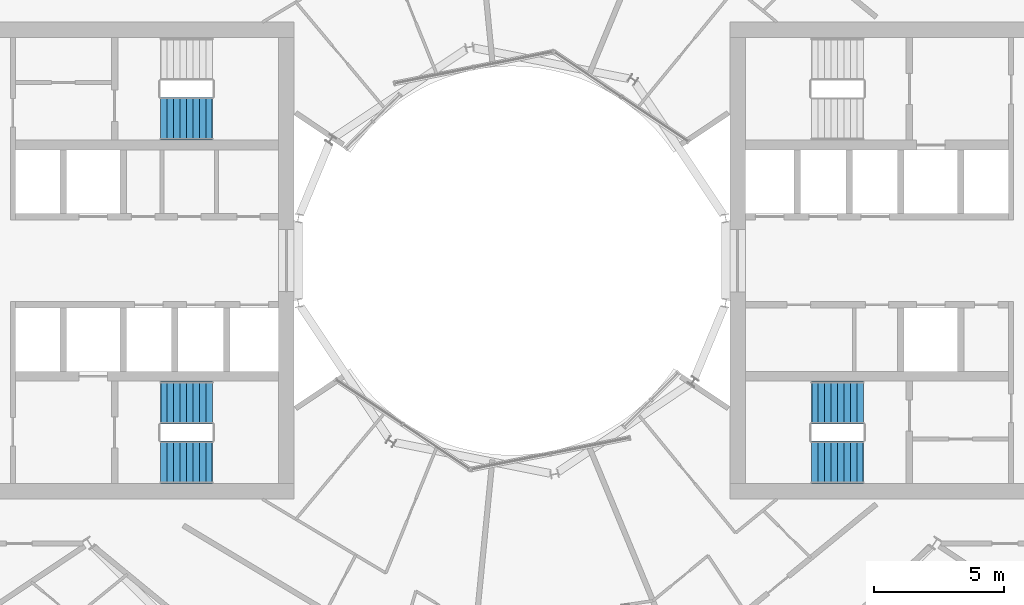
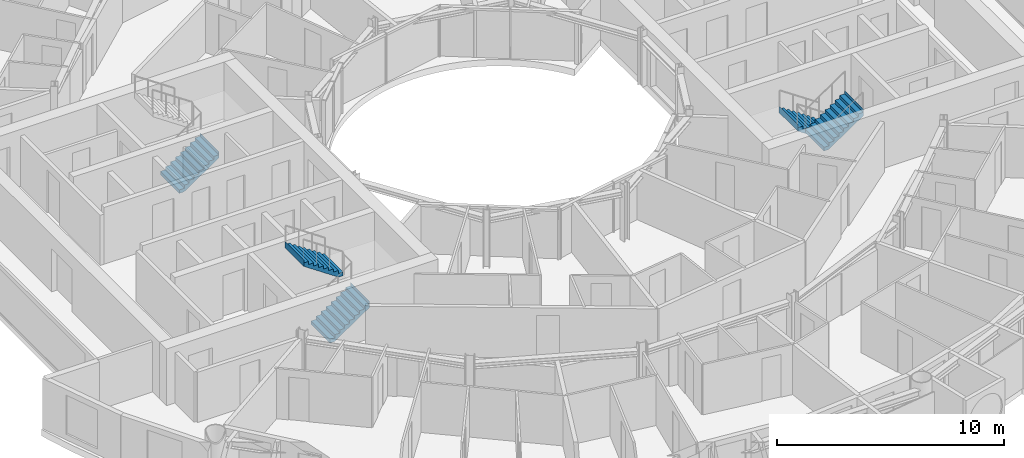
# One storey, part 25 of 28: 5 stair flights, 3 elements without a shape of their own.
"""IFC4 building model written with IfcOpenShell, lengths in metres."""

from ifc_helpers import new_model, si_unit, direction, frame, origin, place, context, subcontext, project, spatial, triangles, material, type_object, element, aggregate, save


model = new_model("IFC4")

# Units and contexts
model_context = context("Model", 3, precision=1e-05, world=origin(), true_north=direction((0.0, 1.0)))
body_context = subcontext(model_context, "Body", "Model", "MODEL_VIEW")
ifc_project = project(units=[si_unit("LENGTHUNIT", "METRE"), si_unit("AREAUNIT", "SQUARE_METRE"), si_unit("VOLUMEUNIT", "CUBIC_METRE"), si_unit("PLANEANGLEUNIT", "RADIAN"), si_unit("MASSUNIT", "GRAM", prefix="KILO")], contexts=[model_context])

# Site, building, storey
site_placement = place(None, origin())
site = spatial("IfcSite", under=ifc_project, at=site_placement, CompositionType="ELEMENT")
building_placement = place(site_placement, origin())
building = spatial("IfcBuilding", under=site, at=building_placement, Name="Maasbend Ring Residences", CompositionType="ELEMENT")
storey_placement = place(building_placement, frame((0.0, 0.0, 129.949951171875)))
storey = spatial("IfcBuildingStorey", under=building, at=storey_placement, Name="L37", CompositionType="ELEMENT", Elevation=129.949951171875)

# Stair, stair flights
ifc_material_1 = material(Name="Concrete C40/50", Category="concrete")
stair_type = type_object("IfcStairType", Name="CORE STAIR 18 RISERS", PredefinedType="HALF_TURN_STAIR", material=ifc_material_1)
stair_1_placement = place(storey_placement, origin())
stair_1 = element("IfcStair", 1, at=stair_1_placement, inside=storey, type_object=stair_type, Name="L37 Exit stair ST-E2", PredefinedType="HALF_TURN_STAIR")
ifc_material_2 = material(Name="Concrete C40/50", Category="concrete")
stair_flight_type = type_object("IfcStairFlightType", Name="CORE STAIR FLIGHT 1650", PredefinedType="STRAIGHT", material=ifc_material_2)
stair_flight_1_placement = place(storey_placement, frame((13.550048828125, -5.47509765625, 0.0), z_axis=(0.0, 0.0, 1.0), x_axis=(-1.0, 0.0, 0.0)))
stair_flight_1 = element("IfcStairFlight", 2, at=stair_flight_1_placement, type_object=stair_flight_type, Name="ST-E2 flight 1", NumberOfRisers=9, NumberOfTreads=8, PredefinedType="STRAIGHT", RiserHeight=0.169444444, TreadLength=0.25, context=body_context, shape_type="Tessellation", body=[
    triangles([(0.24072265625, 0.824951171875, -0.02001953125), (2.0029296875, 0.824951171875, 1.174560546875), (2.0029296875, 0.824951171875, 1.52490234375), (1.989990234375, 0.824951171875, 1.35546875), (1.75, 0.824951171875, 1.35546875), (1.75, 0.824951171875, 1.18603515625), (1.5, 0.824951171875, 1.18603515625), (1.5, 0.824951171875, 1.0166015625), (1.25, 0.824951171875, 1.0166015625), (1.25, 0.824951171875, 0.84716796875), (1.0, 0.824951171875, 0.84716796875), (1.0, 0.824951171875, 0.677734375), (0.75, 0.824951171875, 0.677734375), (0.75, 0.824951171875, 0.50830078125), (0.5, 0.824951171875, 0.50830078125), (0.5, 0.824951171875, 0.3388671875), (0.25, 0.824951171875, 0.3388671875), (0.25, 0.824951171875, 0.16943359375), (0.0, 0.824951171875, 0.16943359375), (0.0, 0.824951171875, 0.0), (-0.0029296875, 0.824951171875, 0.0), (-0.0029296875, 0.824951171875, -0.02001953125), (0.24072265625, 0.27490234375, -0.02001953125), (2.0029296875, 0.27490234375, 1.174560546875), (2.0029296875, 0.27490234375, 1.52490234375), (1.989990234375, 0.27490234375, 1.35546875), (1.75, 0.27490234375, 1.35546875), (1.75, 0.27490234375, 1.18603515625), (1.5, 0.27490234375, 1.18603515625), (1.5, 0.27490234375, 1.0166015625), (1.25, 0.27490234375, 1.0166015625), (1.25, 0.27490234375, 0.84716796875), (1.0, 0.27490234375, 0.84716796875), (1.0, 0.27490234375, 0.677734375), (0.75, 0.27490234375, 0.677734375), (0.75, 0.27490234375, 0.50830078125), (0.5, 0.27490234375, 0.50830078125), (0.5, 0.27490234375, 0.3388671875), (0.25, 0.27490234375, 0.3388671875), (0.25, 0.27490234375, 0.16943359375), (0.0, 0.27490234375, 0.16943359375), (0.0, 0.27490234375, 0.0), (-0.0029296875, 0.27490234375, 0.0), (-0.0029296875, 0.27490234375, -0.02001953125), (0.24072265625, -0.27490234375, -0.02001953125), (2.0029296875, -0.27490234375, 1.174560546875), (2.0029296875, -0.27490234375, 1.52490234375), (1.989990234375, -0.27490234375, 1.35546875), (1.75, -0.27490234375, 1.35546875), (1.75, -0.27490234375, 1.18603515625), (1.5, -0.27490234375, 1.18603515625), (1.5, -0.27490234375, 1.0166015625), (1.25, -0.27490234375, 1.0166015625), (1.25, -0.27490234375, 0.84716796875), (1.0, -0.27490234375, 0.84716796875), (1.0, -0.27490234375, 0.677734375), (0.75, -0.27490234375, 0.677734375), (0.75, -0.27490234375, 0.50830078125), (0.5, -0.27490234375, 0.50830078125), (0.5, -0.27490234375, 0.3388671875), (0.25, -0.27490234375, 0.3388671875), (0.25, -0.27490234375, 0.16943359375), (0.0, -0.27490234375, 0.16943359375), (0.0, -0.27490234375, 0.0), (-0.0029296875, -0.27490234375, 0.0), (-0.0029296875, -0.27490234375, -0.02001953125), (0.24072265625, -0.824951171875, -0.02001953125), (2.0029296875, -0.824951171875, 1.174560546875), (2.0029296875, -0.824951171875, 1.52490234375), (1.989990234375, -0.824951171875, 1.35546875), (1.75, -0.824951171875, 1.35546875), (1.75, -0.824951171875, 1.18603515625), (1.5, -0.824951171875, 1.18603515625), (1.5, -0.824951171875, 1.0166015625), (1.25, -0.824951171875, 1.0166015625), (1.25, -0.824951171875, 0.84716796875), (1.0, -0.824951171875, 0.84716796875), (1.0, -0.824951171875, 0.677734375), (0.75, -0.824951171875, 0.677734375), (0.75, -0.824951171875, 0.50830078125), (0.5, -0.824951171875, 0.50830078125), (0.5, -0.824951171875, 0.3388671875), (0.25, -0.824951171875, 0.3388671875), (0.25, -0.824951171875, 0.16943359375), (0.0, -0.824951171875, 0.16943359375), (0.0, -0.824951171875, 0.0), (-0.0029296875, -0.824951171875, 0.0), (-0.0029296875, -0.824951171875, -0.02001953125)], [[1, 2, 24], [1, 24, 23], [23, 24, 46], [23, 46, 45], [45, 46, 68], [45, 68, 67], [2, 3, 25], [2, 25, 24], [24, 25, 47], [24, 47, 46], [46, 47, 69], [46, 69, 68], [3, 4, 26], [3, 26, 25], [25, 26, 48], [25, 48, 47], [47, 48, 70], [47, 70, 69], [4, 5, 27], [4, 27, 26], [26, 27, 49], [26, 49, 48], [48, 49, 71], [48, 71, 70], [5, 6, 28], [5, 28, 27], [27, 28, 50], [27, 50, 49], [49, 50, 72], [49, 72, 71], [6, 7, 29], [6, 29, 28], [28, 29, 51], [28, 51, 50], [50, 51, 73], [50, 73, 72], [7, 8, 30], [7, 30, 29], [29, 30, 52], [29, 52, 51], [51, 52, 74], [51, 74, 73], [8, 9, 31], [8, 31, 30], [30, 31, 53], [30, 53, 52], [52, 53, 75], [52, 75, 74], [9, 10, 32], [9, 32, 31], [31, 32, 54], [31, 54, 53], [53, 54, 76], [53, 76, 75], [10, 11, 33], [10, 33, 32], [32, 33, 55], [32, 55, 54], [54, 55, 77], [54, 77, 76], [11, 12, 34], [11, 34, 33], [33, 34, 56], [33, 56, 55], [55, 56, 78], [55, 78, 77], [12, 13, 35], [12, 35, 34], [34, 35, 57], [34, 57, 56], [56, 57, 79], [56, 79, 78], [13, 14, 36], [13, 36, 35], [35, 36, 58], [35, 58, 57], [57, 58, 80], [57, 80, 79], [14, 15, 37], [14, 37, 36], [36, 37, 59], [36, 59, 58], [58, 59, 81], [58, 81, 80], [15, 16, 38], [15, 38, 37], [37, 38, 60], [37, 60, 59], [59, 60, 82], [59, 82, 81], [16, 17, 39], [16, 39, 38], [38, 39, 61], [38, 61, 60], [60, 61, 83], [60, 83, 82], [17, 18, 40], [17, 40, 39], [39, 40, 62], [39, 62, 61], [61, 62, 84], [61, 84, 83], [18, 19, 41], [18, 41, 40], [40, 41, 63], [40, 63, 62], [62, 63, 85], [62, 85, 84], [19, 20, 42], [19, 42, 41], [41, 42, 64], [41, 64, 63], [63, 64, 86], [63, 86, 85], [20, 21, 43], [20, 43, 42], [42, 43, 65], [42, 65, 64], [64, 65, 87], [64, 87, 86], [21, 22, 44], [21, 44, 43], [43, 44, 66], [43, 66, 65], [65, 66, 88], [65, 88, 87], [22, 1, 23], [22, 23, 44], [44, 23, 45], [44, 45, 66], [66, 45, 67], [66, 67, 88], [22, 2, 1], [2, 4, 3], [2, 5, 4], [2, 6, 5], [22, 6, 2], [6, 8, 7], [22, 8, 6], [8, 10, 9], [22, 10, 8], [10, 12, 11], [22, 12, 10], [12, 14, 13], [22, 14, 12], [14, 16, 15], [22, 16, 14], [16, 18, 17], [22, 18, 16], [18, 20, 19], [22, 20, 18], [20, 22, 21], [88, 67, 68], [68, 69, 70], [68, 70, 71], [68, 71, 72], [88, 68, 72], [72, 73, 74], [88, 72, 74], [74, 75, 76], [88, 74, 76], [76, 77, 78], [88, 76, 78], [78, 79, 80], [88, 78, 80], [80, 81, 82], [88, 80, 82], [82, 83, 84], [88, 82, 84], [84, 85, 86], [88, 84, 86], [86, 87, 88]], closed=True),
])
stair_flight_2_placement = place(storey_placement, frame((11.550048828125, -7.77490234375, 1.525146484375), z_axis=(0.0, 0.0, 1.0), x_axis=(1.0, 0.0, 0.0)))
stair_flight_2 = element("IfcStairFlight", 3, at=stair_flight_2_placement, type_object=stair_flight_type, Name="ST-E2 flight 2", NumberOfRisers=9, NumberOfTreads=8, PredefinedType="STRAIGHT", RiserHeight=0.169444444, TreadLength=0.25, context=body_context, shape_type="Tessellation", body=[
    triangles([(0.24072265625, 0.824951171875, -0.02001953125), (2.0029296875, 0.824951171875, 1.174560546875), (2.0029296875, 0.824951171875, 1.52490234375), (1.989990234375, 0.824951171875, 1.35546875), (1.75, 0.824951171875, 1.35546875), (1.75, 0.824951171875, 1.18603515625), (1.5, 0.824951171875, 1.18603515625), (1.5, 0.824951171875, 1.0166015625), (1.25, 0.824951171875, 1.0166015625), (1.25, 0.824951171875, 0.84716796875), (1.0, 0.824951171875, 0.84716796875), (1.0, 0.824951171875, 0.677734375), (0.75, 0.824951171875, 0.677734375), (0.75, 0.824951171875, 0.50830078125), (0.5, 0.824951171875, 0.50830078125), (0.5, 0.824951171875, 0.3388671875), (0.25, 0.824951171875, 0.3388671875), (0.25, 0.824951171875, 0.16943359375), (0.0, 0.824951171875, 0.16943359375), (0.0, 0.824951171875, 0.0), (-0.0029296875, 0.824951171875, 0.0), (-0.0029296875, 0.824951171875, -0.02001953125), (0.24072265625, 0.27490234375, -0.02001953125), (2.0029296875, 0.27490234375, 1.174560546875), (2.0029296875, 0.27490234375, 1.52490234375), (1.989990234375, 0.27490234375, 1.35546875), (1.75, 0.27490234375, 1.35546875), (1.75, 0.27490234375, 1.18603515625), (1.5, 0.27490234375, 1.18603515625), (1.5, 0.27490234375, 1.0166015625), (1.25, 0.27490234375, 1.0166015625), (1.25, 0.27490234375, 0.84716796875), (1.0, 0.27490234375, 0.84716796875), (1.0, 0.27490234375, 0.677734375), (0.75, 0.27490234375, 0.677734375), (0.75, 0.27490234375, 0.50830078125), (0.5, 0.27490234375, 0.50830078125), (0.5, 0.27490234375, 0.3388671875), (0.25, 0.27490234375, 0.3388671875), (0.25, 0.27490234375, 0.16943359375), (0.0, 0.27490234375, 0.16943359375), (0.0, 0.27490234375, 0.0), (-0.0029296875, 0.27490234375, 0.0), (-0.0029296875, 0.27490234375, -0.02001953125), (0.24072265625, -0.27490234375, -0.02001953125), (2.0029296875, -0.27490234375, 1.174560546875), (2.0029296875, -0.27490234375, 1.52490234375), (1.989990234375, -0.27490234375, 1.35546875), (1.75, -0.27490234375, 1.35546875), (1.75, -0.27490234375, 1.18603515625), (1.5, -0.27490234375, 1.18603515625), (1.5, -0.27490234375, 1.0166015625), (1.25, -0.27490234375, 1.0166015625), (1.25, -0.27490234375, 0.84716796875), (1.0, -0.27490234375, 0.84716796875), (1.0, -0.27490234375, 0.677734375), (0.75, -0.27490234375, 0.677734375), (0.75, -0.27490234375, 0.50830078125), (0.5, -0.27490234375, 0.50830078125), (0.5, -0.27490234375, 0.3388671875), (0.25, -0.27490234375, 0.3388671875), (0.25, -0.27490234375, 0.16943359375), (0.0, -0.27490234375, 0.16943359375), (0.0, -0.27490234375, 0.0), (-0.0029296875, -0.27490234375, 0.0), (-0.0029296875, -0.27490234375, -0.02001953125), (0.24072265625, -0.824951171875, -0.02001953125), (2.0029296875, -0.824951171875, 1.174560546875), (2.0029296875, -0.824951171875, 1.52490234375), (1.989990234375, -0.824951171875, 1.35546875), (1.75, -0.824951171875, 1.35546875), (1.75, -0.824951171875, 1.18603515625), (1.5, -0.824951171875, 1.18603515625), (1.5, -0.824951171875, 1.0166015625), (1.25, -0.824951171875, 1.0166015625), (1.25, -0.824951171875, 0.84716796875), (1.0, -0.824951171875, 0.84716796875), (1.0, -0.824951171875, 0.677734375), (0.75, -0.824951171875, 0.677734375), (0.75, -0.824951171875, 0.50830078125), (0.5, -0.824951171875, 0.50830078125), (0.5, -0.824951171875, 0.3388671875), (0.25, -0.824951171875, 0.3388671875), (0.25, -0.824951171875, 0.16943359375), (0.0, -0.824951171875, 0.16943359375), (0.0, -0.824951171875, 0.0), (-0.0029296875, -0.824951171875, 0.0), (-0.0029296875, -0.824951171875, -0.02001953125)], [[1, 2, 24], [1, 24, 23], [23, 24, 46], [23, 46, 45], [45, 46, 68], [45, 68, 67], [2, 3, 25], [2, 25, 24], [24, 25, 47], [24, 47, 46], [46, 47, 69], [46, 69, 68], [3, 4, 26], [3, 26, 25], [25, 26, 48], [25, 48, 47], [47, 48, 70], [47, 70, 69], [4, 5, 27], [4, 27, 26], [26, 27, 49], [26, 49, 48], [48, 49, 71], [48, 71, 70], [5, 6, 28], [5, 28, 27], [27, 28, 50], [27, 50, 49], [49, 50, 72], [49, 72, 71], [6, 7, 29], [6, 29, 28], [28, 29, 51], [28, 51, 50], [50, 51, 73], [50, 73, 72], [7, 8, 30], [7, 30, 29], [29, 30, 52], [29, 52, 51], [51, 52, 74], [51, 74, 73], [8, 9, 31], [8, 31, 30], [30, 31, 53], [30, 53, 52], [52, 53, 75], [52, 75, 74], [9, 10, 32], [9, 32, 31], [31, 32, 54], [31, 54, 53], [53, 54, 76], [53, 76, 75], [10, 11, 33], [10, 33, 32], [32, 33, 55], [32, 55, 54], [54, 55, 77], [54, 77, 76], [11, 12, 34], [11, 34, 33], [33, 34, 56], [33, 56, 55], [55, 56, 78], [55, 78, 77], [12, 13, 35], [12, 35, 34], [34, 35, 57], [34, 57, 56], [56, 57, 79], [56, 79, 78], [13, 14, 36], [13, 36, 35], [35, 36, 58], [35, 58, 57], [57, 58, 80], [57, 80, 79], [14, 15, 37], [14, 37, 36], [36, 37, 59], [36, 59, 58], [58, 59, 81], [58, 81, 80], [15, 16, 38], [15, 38, 37], [37, 38, 60], [37, 60, 59], [59, 60, 82], [59, 82, 81], [16, 17, 39], [16, 39, 38], [38, 39, 61], [38, 61, 60], [60, 61, 83], [60, 83, 82], [17, 18, 40], [17, 40, 39], [39, 40, 62], [39, 62, 61], [61, 62, 84], [61, 84, 83], [18, 19, 41], [18, 41, 40], [40, 41, 63], [40, 63, 62], [62, 63, 85], [62, 85, 84], [19, 20, 42], [19, 42, 41], [41, 42, 64], [41, 64, 63], [63, 64, 86], [63, 86, 85], [20, 21, 43], [20, 43, 42], [42, 43, 65], [42, 65, 64], [64, 65, 87], [64, 87, 86], [21, 22, 44], [21, 44, 43], [43, 44, 66], [43, 66, 65], [65, 66, 88], [65, 88, 87], [22, 1, 23], [22, 23, 44], [44, 23, 45], [44, 45, 66], [66, 45, 67], [66, 67, 88], [22, 2, 1], [2, 4, 3], [2, 5, 4], [2, 6, 5], [22, 6, 2], [6, 8, 7], [22, 8, 6], [8, 10, 9], [22, 10, 8], [10, 12, 11], [22, 12, 10], [12, 14, 13], [22, 14, 12], [14, 16, 15], [22, 16, 14], [16, 18, 17], [22, 18, 16], [18, 20, 19], [22, 20, 18], [20, 22, 21], [88, 67, 68], [68, 69, 70], [68, 70, 71], [68, 71, 72], [88, 68, 72], [72, 73, 74], [88, 72, 74], [74, 75, 76], [88, 74, 76], [76, 77, 78], [88, 76, 78], [78, 79, 80], [88, 78, 80], [80, 81, 82], [88, 80, 82], [82, 83, 84], [88, 82, 84], [84, 85, 86], [88, 84, 86], [86, 87, 88]], closed=True),
])
aggregate(stair_1, [stair_flight_1, stair_flight_2])

stair_2_placement = place(storey_placement, origin())
stair_2 = element("IfcStair", 4, at=stair_2_placement, inside=storey, type_object=stair_type, Name="L37 Exit stair ST-W1", PredefinedType="HALF_TURN_STAIR")
stair_flight_3_placement = place(storey_placement, frame((-13.550048828125, -7.77490234375, 0.0), z_axis=(0.0, 0.0, 1.0), x_axis=(1.0, 0.0, 0.0)))
stair_flight_3 = element("IfcStairFlight", 5, at=stair_flight_3_placement, type_object=stair_flight_type, Name="ST-W1 flight 1", NumberOfRisers=9, NumberOfTreads=8, PredefinedType="STRAIGHT", RiserHeight=0.169444444, TreadLength=0.25, context=body_context, shape_type="Tessellation", body=[
    triangles([(0.24072265625, 0.824951171875, -0.02001953125), (2.0029296875, 0.824951171875, 1.174560546875), (2.0029296875, 0.824951171875, 1.52490234375), (1.989990234375, 0.824951171875, 1.35546875), (1.75, 0.824951171875, 1.35546875), (1.75, 0.824951171875, 1.18603515625), (1.5, 0.824951171875, 1.18603515625), (1.5, 0.824951171875, 1.0166015625), (1.25, 0.824951171875, 1.0166015625), (1.25, 0.824951171875, 0.84716796875), (1.0, 0.824951171875, 0.84716796875), (1.0, 0.824951171875, 0.677734375), (0.75, 0.824951171875, 0.677734375), (0.75, 0.824951171875, 0.50830078125), (0.5, 0.824951171875, 0.50830078125), (0.5, 0.824951171875, 0.3388671875), (0.25, 0.824951171875, 0.3388671875), (0.25, 0.824951171875, 0.16943359375), (0.0, 0.824951171875, 0.16943359375), (0.0, 0.824951171875, 0.0), (-0.0029296875, 0.824951171875, 0.0), (-0.0029296875, 0.824951171875, -0.02001953125), (0.24072265625, 0.27490234375, -0.02001953125), (2.0029296875, 0.27490234375, 1.174560546875), (2.0029296875, 0.27490234375, 1.52490234375), (1.989990234375, 0.27490234375, 1.35546875), (1.75, 0.27490234375, 1.35546875), (1.75, 0.27490234375, 1.18603515625), (1.5, 0.27490234375, 1.18603515625), (1.5, 0.27490234375, 1.0166015625), (1.25, 0.27490234375, 1.0166015625), (1.25, 0.27490234375, 0.84716796875), (1.0, 0.27490234375, 0.84716796875), (1.0, 0.27490234375, 0.677734375), (0.75, 0.27490234375, 0.677734375), (0.75, 0.27490234375, 0.50830078125), (0.5, 0.27490234375, 0.50830078125), (0.5, 0.27490234375, 0.3388671875), (0.25, 0.27490234375, 0.3388671875), (0.25, 0.27490234375, 0.16943359375), (0.0, 0.27490234375, 0.16943359375), (0.0, 0.27490234375, 0.0), (-0.0029296875, 0.27490234375, 0.0), (-0.0029296875, 0.27490234375, -0.02001953125), (0.24072265625, -0.27490234375, -0.02001953125), (2.0029296875, -0.27490234375, 1.174560546875), (2.0029296875, -0.27490234375, 1.52490234375), (1.989990234375, -0.27490234375, 1.35546875), (1.75, -0.27490234375, 1.35546875), (1.75, -0.27490234375, 1.18603515625), (1.5, -0.27490234375, 1.18603515625), (1.5, -0.27490234375, 1.0166015625), (1.25, -0.27490234375, 1.0166015625), (1.25, -0.27490234375, 0.84716796875), (1.0, -0.27490234375, 0.84716796875), (1.0, -0.27490234375, 0.677734375), (0.75, -0.27490234375, 0.677734375), (0.75, -0.27490234375, 0.50830078125), (0.5, -0.27490234375, 0.50830078125), (0.5, -0.27490234375, 0.3388671875), (0.25, -0.27490234375, 0.3388671875), (0.25, -0.27490234375, 0.16943359375), (0.0, -0.27490234375, 0.16943359375), (0.0, -0.27490234375, 0.0), (-0.0029296875, -0.27490234375, 0.0), (-0.0029296875, -0.27490234375, -0.02001953125), (0.24072265625, -0.824951171875, -0.02001953125), (2.0029296875, -0.824951171875, 1.174560546875), (2.0029296875, -0.824951171875, 1.52490234375), (1.989990234375, -0.824951171875, 1.35546875), (1.75, -0.824951171875, 1.35546875), (1.75, -0.824951171875, 1.18603515625), (1.5, -0.824951171875, 1.18603515625), (1.5, -0.824951171875, 1.0166015625), (1.25, -0.824951171875, 1.0166015625), (1.25, -0.824951171875, 0.84716796875), (1.0, -0.824951171875, 0.84716796875), (1.0, -0.824951171875, 0.677734375), (0.75, -0.824951171875, 0.677734375), (0.75, -0.824951171875, 0.50830078125), (0.5, -0.824951171875, 0.50830078125), (0.5, -0.824951171875, 0.3388671875), (0.25, -0.824951171875, 0.3388671875), (0.25, -0.824951171875, 0.16943359375), (0.0, -0.824951171875, 0.16943359375), (0.0, -0.824951171875, 0.0), (-0.0029296875, -0.824951171875, 0.0), (-0.0029296875, -0.824951171875, -0.02001953125)], [[1, 2, 24], [1, 24, 23], [23, 24, 46], [23, 46, 45], [45, 46, 68], [45, 68, 67], [2, 3, 25], [2, 25, 24], [24, 25, 47], [24, 47, 46], [46, 47, 69], [46, 69, 68], [3, 4, 26], [3, 26, 25], [25, 26, 48], [25, 48, 47], [47, 48, 70], [47, 70, 69], [4, 5, 27], [4, 27, 26], [26, 27, 49], [26, 49, 48], [48, 49, 71], [48, 71, 70], [5, 6, 28], [5, 28, 27], [27, 28, 50], [27, 50, 49], [49, 50, 72], [49, 72, 71], [6, 7, 29], [6, 29, 28], [28, 29, 51], [28, 51, 50], [50, 51, 73], [50, 73, 72], [7, 8, 30], [7, 30, 29], [29, 30, 52], [29, 52, 51], [51, 52, 74], [51, 74, 73], [8, 9, 31], [8, 31, 30], [30, 31, 53], [30, 53, 52], [52, 53, 75], [52, 75, 74], [9, 10, 32], [9, 32, 31], [31, 32, 54], [31, 54, 53], [53, 54, 76], [53, 76, 75], [10, 11, 33], [10, 33, 32], [32, 33, 55], [32, 55, 54], [54, 55, 77], [54, 77, 76], [11, 12, 34], [11, 34, 33], [33, 34, 56], [33, 56, 55], [55, 56, 78], [55, 78, 77], [12, 13, 35], [12, 35, 34], [34, 35, 57], [34, 57, 56], [56, 57, 79], [56, 79, 78], [13, 14, 36], [13, 36, 35], [35, 36, 58], [35, 58, 57], [57, 58, 80], [57, 80, 79], [14, 15, 37], [14, 37, 36], [36, 37, 59], [36, 59, 58], [58, 59, 81], [58, 81, 80], [15, 16, 38], [15, 38, 37], [37, 38, 60], [37, 60, 59], [59, 60, 82], [59, 82, 81], [16, 17, 39], [16, 39, 38], [38, 39, 61], [38, 61, 60], [60, 61, 83], [60, 83, 82], [17, 18, 40], [17, 40, 39], [39, 40, 62], [39, 62, 61], [61, 62, 84], [61, 84, 83], [18, 19, 41], [18, 41, 40], [40, 41, 63], [40, 63, 62], [62, 63, 85], [62, 85, 84], [19, 20, 42], [19, 42, 41], [41, 42, 64], [41, 64, 63], [63, 64, 86], [63, 86, 85], [20, 21, 43], [20, 43, 42], [42, 43, 65], [42, 65, 64], [64, 65, 87], [64, 87, 86], [21, 22, 44], [21, 44, 43], [43, 44, 66], [43, 66, 65], [65, 66, 88], [65, 88, 87], [22, 1, 23], [22, 23, 44], [44, 23, 45], [44, 45, 66], [66, 45, 67], [66, 67, 88], [22, 2, 1], [2, 4, 3], [2, 5, 4], [2, 6, 5], [22, 6, 2], [6, 8, 7], [22, 8, 6], [8, 10, 9], [22, 10, 8], [10, 12, 11], [22, 12, 10], [12, 14, 13], [22, 14, 12], [14, 16, 15], [22, 16, 14], [16, 18, 17], [22, 18, 16], [18, 20, 19], [22, 20, 18], [20, 22, 21], [88, 67, 68], [68, 69, 70], [68, 70, 71], [68, 71, 72], [88, 68, 72], [72, 73, 74], [88, 72, 74], [74, 75, 76], [88, 74, 76], [76, 77, 78], [88, 76, 78], [78, 79, 80], [88, 78, 80], [80, 81, 82], [88, 80, 82], [82, 83, 84], [88, 82, 84], [84, 85, 86], [88, 84, 86], [86, 87, 88]], closed=True),
])
stair_flight_4_placement = place(storey_placement, frame((-11.550048828125, -5.47509765625, 1.525146484375), z_axis=(0.0, 0.0, 1.0), x_axis=(-1.0, 0.0, 0.0)))
stair_flight_4 = element("IfcStairFlight", 6, at=stair_flight_4_placement, type_object=stair_flight_type, Name="ST-W1 flight 2", NumberOfRisers=9, NumberOfTreads=8, PredefinedType="STRAIGHT", RiserHeight=0.169444444, TreadLength=0.25, context=body_context, shape_type="Tessellation", body=[
    triangles([(0.24072265625, 0.824951171875, -0.02001953125), (2.0029296875, 0.824951171875, 1.174560546875), (2.0029296875, 0.824951171875, 1.52490234375), (1.989990234375, 0.824951171875, 1.35546875), (1.75, 0.824951171875, 1.35546875), (1.75, 0.824951171875, 1.18603515625), (1.5, 0.824951171875, 1.18603515625), (1.5, 0.824951171875, 1.0166015625), (1.25, 0.824951171875, 1.0166015625), (1.25, 0.824951171875, 0.84716796875), (1.0, 0.824951171875, 0.84716796875), (1.0, 0.824951171875, 0.677734375), (0.75, 0.824951171875, 0.677734375), (0.75, 0.824951171875, 0.50830078125), (0.5, 0.824951171875, 0.50830078125), (0.5, 0.824951171875, 0.3388671875), (0.25, 0.824951171875, 0.3388671875), (0.25, 0.824951171875, 0.16943359375), (0.0, 0.824951171875, 0.16943359375), (0.0, 0.824951171875, 0.0), (-0.0029296875, 0.824951171875, 0.0), (-0.0029296875, 0.824951171875, -0.02001953125), (0.24072265625, 0.27490234375, -0.02001953125), (2.0029296875, 0.27490234375, 1.174560546875), (2.0029296875, 0.27490234375, 1.52490234375), (1.989990234375, 0.27490234375, 1.35546875), (1.75, 0.27490234375, 1.35546875), (1.75, 0.27490234375, 1.18603515625), (1.5, 0.27490234375, 1.18603515625), (1.5, 0.27490234375, 1.0166015625), (1.25, 0.27490234375, 1.0166015625), (1.25, 0.27490234375, 0.84716796875), (1.0, 0.27490234375, 0.84716796875), (1.0, 0.27490234375, 0.677734375), (0.75, 0.27490234375, 0.677734375), (0.75, 0.27490234375, 0.50830078125), (0.5, 0.27490234375, 0.50830078125), (0.5, 0.27490234375, 0.3388671875), (0.25, 0.27490234375, 0.3388671875), (0.25, 0.27490234375, 0.16943359375), (0.0, 0.27490234375, 0.16943359375), (0.0, 0.27490234375, 0.0), (-0.0029296875, 0.27490234375, 0.0), (-0.0029296875, 0.27490234375, -0.02001953125), (0.24072265625, -0.27490234375, -0.02001953125), (2.0029296875, -0.27490234375, 1.174560546875), (2.0029296875, -0.27490234375, 1.52490234375), (1.989990234375, -0.27490234375, 1.35546875), (1.75, -0.27490234375, 1.35546875), (1.75, -0.27490234375, 1.18603515625), (1.5, -0.27490234375, 1.18603515625), (1.5, -0.27490234375, 1.0166015625), (1.25, -0.27490234375, 1.0166015625), (1.25, -0.27490234375, 0.84716796875), (1.0, -0.27490234375, 0.84716796875), (1.0, -0.27490234375, 0.677734375), (0.75, -0.27490234375, 0.677734375), (0.75, -0.27490234375, 0.50830078125), (0.5, -0.27490234375, 0.50830078125), (0.5, -0.27490234375, 0.3388671875), (0.25, -0.27490234375, 0.3388671875), (0.25, -0.27490234375, 0.16943359375), (0.0, -0.27490234375, 0.16943359375), (0.0, -0.27490234375, 0.0), (-0.0029296875, -0.27490234375, 0.0), (-0.0029296875, -0.27490234375, -0.02001953125), (0.24072265625, -0.824951171875, -0.02001953125), (2.0029296875, -0.824951171875, 1.174560546875), (2.0029296875, -0.824951171875, 1.52490234375), (1.989990234375, -0.824951171875, 1.35546875), (1.75, -0.824951171875, 1.35546875), (1.75, -0.824951171875, 1.18603515625), (1.5, -0.824951171875, 1.18603515625), (1.5, -0.824951171875, 1.0166015625), (1.25, -0.824951171875, 1.0166015625), (1.25, -0.824951171875, 0.84716796875), (1.0, -0.824951171875, 0.84716796875), (1.0, -0.824951171875, 0.677734375), (0.75, -0.824951171875, 0.677734375), (0.75, -0.824951171875, 0.50830078125), (0.5, -0.824951171875, 0.50830078125), (0.5, -0.824951171875, 0.3388671875), (0.25, -0.824951171875, 0.3388671875), (0.25, -0.824951171875, 0.16943359375), (0.0, -0.824951171875, 0.16943359375), (0.0, -0.824951171875, 0.0), (-0.0029296875, -0.824951171875, 0.0), (-0.0029296875, -0.824951171875, -0.02001953125)], [[1, 2, 24], [1, 24, 23], [23, 24, 46], [23, 46, 45], [45, 46, 68], [45, 68, 67], [2, 3, 25], [2, 25, 24], [24, 25, 47], [24, 47, 46], [46, 47, 69], [46, 69, 68], [3, 4, 26], [3, 26, 25], [25, 26, 48], [25, 48, 47], [47, 48, 70], [47, 70, 69], [4, 5, 27], [4, 27, 26], [26, 27, 49], [26, 49, 48], [48, 49, 71], [48, 71, 70], [5, 6, 28], [5, 28, 27], [27, 28, 50], [27, 50, 49], [49, 50, 72], [49, 72, 71], [6, 7, 29], [6, 29, 28], [28, 29, 51], [28, 51, 50], [50, 51, 73], [50, 73, 72], [7, 8, 30], [7, 30, 29], [29, 30, 52], [29, 52, 51], [51, 52, 74], [51, 74, 73], [8, 9, 31], [8, 31, 30], [30, 31, 53], [30, 53, 52], [52, 53, 75], [52, 75, 74], [9, 10, 32], [9, 32, 31], [31, 32, 54], [31, 54, 53], [53, 54, 76], [53, 76, 75], [10, 11, 33], [10, 33, 32], [32, 33, 55], [32, 55, 54], [54, 55, 77], [54, 77, 76], [11, 12, 34], [11, 34, 33], [33, 34, 56], [33, 56, 55], [55, 56, 78], [55, 78, 77], [12, 13, 35], [12, 35, 34], [34, 35, 57], [34, 57, 56], [56, 57, 79], [56, 79, 78], [13, 14, 36], [13, 36, 35], [35, 36, 58], [35, 58, 57], [57, 58, 80], [57, 80, 79], [14, 15, 37], [14, 37, 36], [36, 37, 59], [36, 59, 58], [58, 59, 81], [58, 81, 80], [15, 16, 38], [15, 38, 37], [37, 38, 60], [37, 60, 59], [59, 60, 82], [59, 82, 81], [16, 17, 39], [16, 39, 38], [38, 39, 61], [38, 61, 60], [60, 61, 83], [60, 83, 82], [17, 18, 40], [17, 40, 39], [39, 40, 62], [39, 62, 61], [61, 62, 84], [61, 84, 83], [18, 19, 41], [18, 41, 40], [40, 41, 63], [40, 63, 62], [62, 63, 85], [62, 85, 84], [19, 20, 42], [19, 42, 41], [41, 42, 64], [41, 64, 63], [63, 64, 86], [63, 86, 85], [20, 21, 43], [20, 43, 42], [42, 43, 65], [42, 65, 64], [64, 65, 87], [64, 87, 86], [21, 22, 44], [21, 44, 43], [43, 44, 66], [43, 66, 65], [65, 66, 88], [65, 88, 87], [22, 1, 23], [22, 23, 44], [44, 23, 45], [44, 45, 66], [66, 45, 67], [66, 67, 88], [22, 2, 1], [2, 4, 3], [2, 5, 4], [2, 6, 5], [22, 6, 2], [6, 8, 7], [22, 8, 6], [8, 10, 9], [22, 10, 8], [10, 12, 11], [22, 12, 10], [12, 14, 13], [22, 14, 12], [14, 16, 15], [22, 16, 14], [16, 18, 17], [22, 18, 16], [18, 20, 19], [22, 20, 18], [20, 22, 21], [88, 67, 68], [68, 69, 70], [68, 70, 71], [68, 71, 72], [88, 68, 72], [72, 73, 74], [88, 72, 74], [74, 75, 76], [88, 74, 76], [76, 77, 78], [88, 76, 78], [78, 79, 80], [88, 78, 80], [80, 81, 82], [88, 80, 82], [82, 83, 84], [88, 82, 84], [84, 85, 86], [88, 84, 86], [86, 87, 88]], closed=True),
])
aggregate(stair_2, [stair_flight_3, stair_flight_4])

# Stair, stair flight
stair_3_placement = place(storey_placement, origin())
stair_3 = element("IfcStair", 7, at=stair_3_placement, inside=storey, type_object=stair_type, Name="L37 Exit stair ST-W2", PredefinedType="HALF_TURN_STAIR")
stair_flight_5_placement = place(storey_placement, frame((-13.550048828125, 5.47509765625, 0.0), z_axis=(0.0, 0.0, 1.0), x_axis=(1.0, 0.0, 0.0)))
stair_flight_5 = element("IfcStairFlight", 8, at=stair_flight_5_placement, type_object=stair_flight_type, Name="ST-W2 flight 1", NumberOfRisers=9, NumberOfTreads=8, PredefinedType="STRAIGHT", RiserHeight=0.169444444, TreadLength=0.25, context=body_context, shape_type="Tessellation", body=[
    triangles([(0.24072265625, 0.824951171875, -0.02001953125), (2.0029296875, 0.824951171875, 1.174560546875), (2.0029296875, 0.824951171875, 1.52490234375), (1.989990234375, 0.824951171875, 1.35546875), (1.75, 0.824951171875, 1.35546875), (1.75, 0.824951171875, 1.18603515625), (1.5, 0.824951171875, 1.18603515625), (1.5, 0.824951171875, 1.0166015625), (1.25, 0.824951171875, 1.0166015625), (1.25, 0.824951171875, 0.84716796875), (1.0, 0.824951171875, 0.84716796875), (1.0, 0.824951171875, 0.677734375), (0.75, 0.824951171875, 0.677734375), (0.75, 0.824951171875, 0.50830078125), (0.5, 0.824951171875, 0.50830078125), (0.5, 0.824951171875, 0.3388671875), (0.25, 0.824951171875, 0.3388671875), (0.25, 0.824951171875, 0.16943359375), (0.0, 0.824951171875, 0.16943359375), (0.0, 0.824951171875, 0.0), (-0.0029296875, 0.824951171875, 0.0), (-0.0029296875, 0.824951171875, -0.02001953125), (0.24072265625, 0.27490234375, -0.02001953125), (2.0029296875, 0.27490234375, 1.174560546875), (2.0029296875, 0.27490234375, 1.52490234375), (1.989990234375, 0.27490234375, 1.35546875), (1.75, 0.27490234375, 1.35546875), (1.75, 0.27490234375, 1.18603515625), (1.5, 0.27490234375, 1.18603515625), (1.5, 0.27490234375, 1.0166015625), (1.25, 0.27490234375, 1.0166015625), (1.25, 0.27490234375, 0.84716796875), (1.0, 0.27490234375, 0.84716796875), (1.0, 0.27490234375, 0.677734375), (0.75, 0.27490234375, 0.677734375), (0.75, 0.27490234375, 0.50830078125), (0.5, 0.27490234375, 0.50830078125), (0.5, 0.27490234375, 0.3388671875), (0.25, 0.27490234375, 0.3388671875), (0.25, 0.27490234375, 0.16943359375), (0.0, 0.27490234375, 0.16943359375), (0.0, 0.27490234375, 0.0), (-0.0029296875, 0.27490234375, 0.0), (-0.0029296875, 0.27490234375, -0.02001953125), (0.24072265625, -0.27490234375, -0.02001953125), (2.0029296875, -0.27490234375, 1.174560546875), (2.0029296875, -0.27490234375, 1.52490234375), (1.989990234375, -0.27490234375, 1.35546875), (1.75, -0.27490234375, 1.35546875), (1.75, -0.27490234375, 1.18603515625), (1.5, -0.27490234375, 1.18603515625), (1.5, -0.27490234375, 1.0166015625), (1.25, -0.27490234375, 1.0166015625), (1.25, -0.27490234375, 0.84716796875), (1.0, -0.27490234375, 0.84716796875), (1.0, -0.27490234375, 0.677734375), (0.75, -0.27490234375, 0.677734375), (0.75, -0.27490234375, 0.50830078125), (0.5, -0.27490234375, 0.50830078125), (0.5, -0.27490234375, 0.3388671875), (0.25, -0.27490234375, 0.3388671875), (0.25, -0.27490234375, 0.16943359375), (0.0, -0.27490234375, 0.16943359375), (0.0, -0.27490234375, 0.0), (-0.0029296875, -0.27490234375, 0.0), (-0.0029296875, -0.27490234375, -0.02001953125), (0.24072265625, -0.824951171875, -0.02001953125), (2.0029296875, -0.824951171875, 1.174560546875), (2.0029296875, -0.824951171875, 1.52490234375), (1.989990234375, -0.824951171875, 1.35546875), (1.75, -0.824951171875, 1.35546875), (1.75, -0.824951171875, 1.18603515625), (1.5, -0.824951171875, 1.18603515625), (1.5, -0.824951171875, 1.0166015625), (1.25, -0.824951171875, 1.0166015625), (1.25, -0.824951171875, 0.84716796875), (1.0, -0.824951171875, 0.84716796875), (1.0, -0.824951171875, 0.677734375), (0.75, -0.824951171875, 0.677734375), (0.75, -0.824951171875, 0.50830078125), (0.5, -0.824951171875, 0.50830078125), (0.5, -0.824951171875, 0.3388671875), (0.25, -0.824951171875, 0.3388671875), (0.25, -0.824951171875, 0.16943359375), (0.0, -0.824951171875, 0.16943359375), (0.0, -0.824951171875, 0.0), (-0.0029296875, -0.824951171875, 0.0), (-0.0029296875, -0.824951171875, -0.02001953125)], [[1, 2, 24], [1, 24, 23], [23, 24, 46], [23, 46, 45], [45, 46, 68], [45, 68, 67], [2, 3, 25], [2, 25, 24], [24, 25, 47], [24, 47, 46], [46, 47, 69], [46, 69, 68], [3, 4, 26], [3, 26, 25], [25, 26, 48], [25, 48, 47], [47, 48, 70], [47, 70, 69], [4, 5, 27], [4, 27, 26], [26, 27, 49], [26, 49, 48], [48, 49, 71], [48, 71, 70], [5, 6, 28], [5, 28, 27], [27, 28, 50], [27, 50, 49], [49, 50, 72], [49, 72, 71], [6, 7, 29], [6, 29, 28], [28, 29, 51], [28, 51, 50], [50, 51, 73], [50, 73, 72], [7, 8, 30], [7, 30, 29], [29, 30, 52], [29, 52, 51], [51, 52, 74], [51, 74, 73], [8, 9, 31], [8, 31, 30], [30, 31, 53], [30, 53, 52], [52, 53, 75], [52, 75, 74], [9, 10, 32], [9, 32, 31], [31, 32, 54], [31, 54, 53], [53, 54, 76], [53, 76, 75], [10, 11, 33], [10, 33, 32], [32, 33, 55], [32, 55, 54], [54, 55, 77], [54, 77, 76], [11, 12, 34], [11, 34, 33], [33, 34, 56], [33, 56, 55], [55, 56, 78], [55, 78, 77], [12, 13, 35], [12, 35, 34], [34, 35, 57], [34, 57, 56], [56, 57, 79], [56, 79, 78], [13, 14, 36], [13, 36, 35], [35, 36, 58], [35, 58, 57], [57, 58, 80], [57, 80, 79], [14, 15, 37], [14, 37, 36], [36, 37, 59], [36, 59, 58], [58, 59, 81], [58, 81, 80], [15, 16, 38], [15, 38, 37], [37, 38, 60], [37, 60, 59], [59, 60, 82], [59, 82, 81], [16, 17, 39], [16, 39, 38], [38, 39, 61], [38, 61, 60], [60, 61, 83], [60, 83, 82], [17, 18, 40], [17, 40, 39], [39, 40, 62], [39, 62, 61], [61, 62, 84], [61, 84, 83], [18, 19, 41], [18, 41, 40], [40, 41, 63], [40, 63, 62], [62, 63, 85], [62, 85, 84], [19, 20, 42], [19, 42, 41], [41, 42, 64], [41, 64, 63], [63, 64, 86], [63, 86, 85], [20, 21, 43], [20, 43, 42], [42, 43, 65], [42, 65, 64], [64, 65, 87], [64, 87, 86], [21, 22, 44], [21, 44, 43], [43, 44, 66], [43, 66, 65], [65, 66, 88], [65, 88, 87], [22, 1, 23], [22, 23, 44], [44, 23, 45], [44, 45, 66], [66, 45, 67], [66, 67, 88], [22, 2, 1], [2, 4, 3], [2, 5, 4], [2, 6, 5], [22, 6, 2], [6, 8, 7], [22, 8, 6], [8, 10, 9], [22, 10, 8], [10, 12, 11], [22, 12, 10], [12, 14, 13], [22, 14, 12], [14, 16, 15], [22, 16, 14], [16, 18, 17], [22, 18, 16], [18, 20, 19], [22, 20, 18], [20, 22, 21], [88, 67, 68], [68, 69, 70], [68, 70, 71], [68, 71, 72], [88, 68, 72], [72, 73, 74], [88, 72, 74], [74, 75, 76], [88, 74, 76], [76, 77, 78], [88, 76, 78], [78, 79, 80], [88, 78, 80], [80, 81, 82], [88, 80, 82], [82, 83, 84], [88, 82, 84], [84, 85, 86], [88, 84, 86], [86, 87, 88]], closed=True),
])
aggregate(stair_3, [stair_flight_5])

save(model, "model.ifc")
